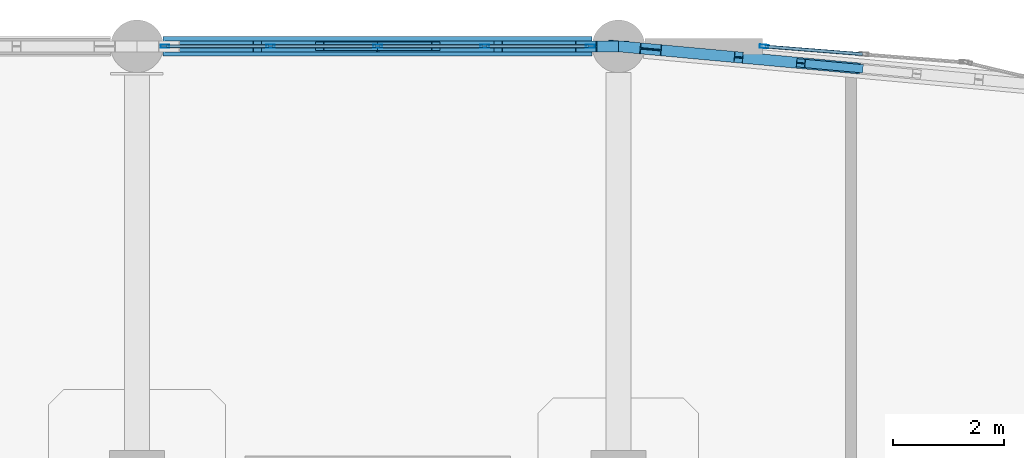
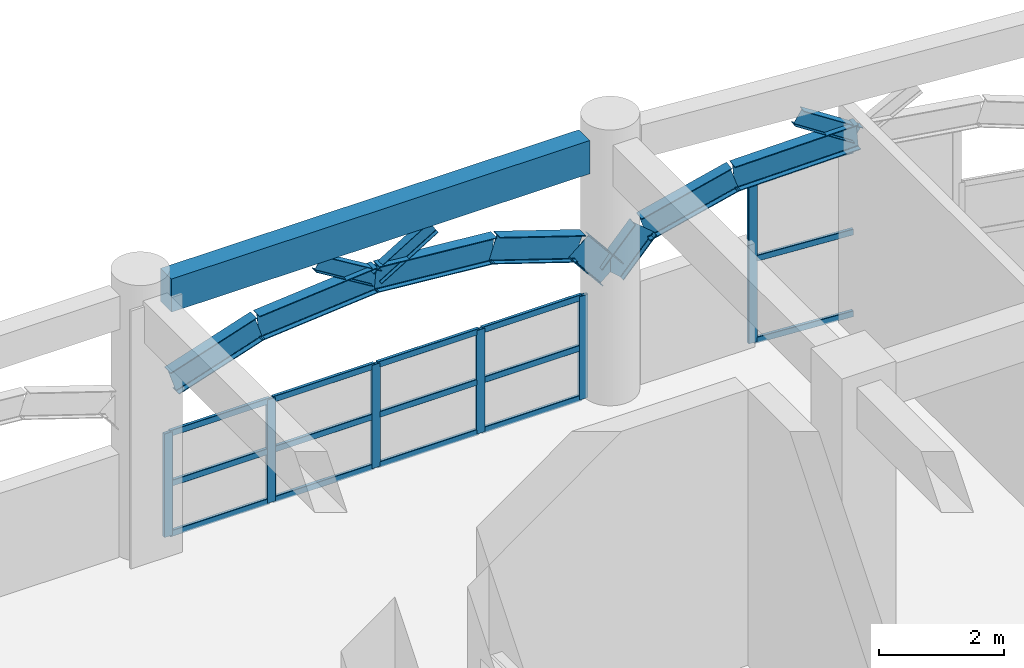
# One storey, part 49 of 114: 24 members, 9 beams, 2 elements without a shape of their own.
"""IFC4 building model written with IfcOpenShell, lengths in metres."""

from ifc_helpers import new_model, si_unit, derived_unit, direction, frame, origin, origin_2d, place, context, subcontext, project, spatial, rectangle, hollow_rectangle, i_section, extrude, material, layer, layer_set, material_profile, profile_set, type_object, element, aggregate, save


model = new_model("IFC4")

# Units and contexts
model_context = context("Model", 3, precision=1e-05, world=origin(), true_north=direction((0.0, 1.0)))
body_context = subcontext(model_context, "Body", "Model", "MODEL_VIEW")
ifc_project = project(units=[si_unit("LENGTHUNIT", "METRE"), si_unit("AREAUNIT", "SQUARE_METRE"), si_unit("VOLUMEUNIT", "CUBIC_METRE"), si_unit("PLANEANGLEUNIT", "RADIAN"), si_unit("MASSUNIT", "GRAM", prefix="KILO"), derived_unit("THERMALTRANSMITTANCEUNIT", [(si_unit("MASSUNIT", "GRAM", prefix="KILO"), 1), (si_unit("TIMEUNIT", "SECOND"), -3), (si_unit("THERMODYNAMICTEMPERATUREUNIT", "KELVIN"), -1)])], contexts=[model_context])

# Site, building, storey
site_placement = place(None, origin())
site = spatial("IfcSite", under=ifc_project, at=site_placement, CompositionType="ELEMENT")
building_placement = place(site_placement, origin())
building = spatial("IfcBuilding", under=site, at=building_placement, Name="Qinzheling Arcade Emporium", CompositionType="ELEMENT")
storey_placement = place(building_placement, frame((0.0, 0.0, 6.0)))
storey = spatial("IfcBuildingStorey", under=building, at=storey_placement, Name="L02", CompositionType="ELEMENT", Elevation=6.0)

# Beams
ifc_material_1 = material(Name="Weathering steel Q355NH", Category="steel")
ifc_material_profile_1 = material_profile(ifc_material_1, i_section(OverallWidth=0.199951171875, OverallDepth=0.5, WebThickness=0.010009765625, FlangeThickness=0.01611328125, FilletRadius=0.01806640625, at=origin_2d()), Name="HN 500x200x10x16", Category="steel")
ifc_profile_set_1 = profile_set([ifc_material_profile_1], Name="Weathering steel Q355NH")
beam_type_1 = type_object("IfcBeamType", Name="Arcade End Arch Rib HN500 Q355NH", PredefinedType="BEAM", material=ifc_profile_set_1)
beam_1_placement = place(storey_placement, frame((126.14111328125, 114.199951171875, 3.715087890625), z_axis=(-0.991980653313, 0.091356365126, -0.087340700725), x_axis=(-0.091706822835, -0.995786050638, 0.0)))
element("IfcBeam", 1, at=beam_1_placement, inside=storey, type_object=beam_type_1, Name="Curved Arcade Entrance Arch ARC-L02-CV6-B05-C04", PredefinedType="BEAM", context=body_context, shape_type="SweptSolid", body=[
    extrude(i_section(OverallWidth=0.199951171875, OverallDepth=0.5, WebThickness=0.010009765625, FlangeThickness=0.01611328125, FilletRadius=0.01806640625, at=origin_2d()), origin(), (0.0, 0.0, 1.0), 2.188720703125),
])
beam_2_placement = place(storey_placement, frame((123.969970703125, 114.39990234375, 3.52392578125), z_axis=(-0.946386435562, 0.087014004992, -0.311096894101), x_axis=(-0.091557240074, -0.995799815119, 0.0)))
element("IfcBeam", 2, at=beam_2_placement, inside=storey, type_object=beam_type_1, Name="Curved Arcade Entrance Arch ARC-L02-CV6-B05-C05", PredefinedType="BEAM", context=body_context, shape_type="SweptSolid", body=[
    extrude(i_section(OverallWidth=0.199951171875, OverallDepth=0.5, WebThickness=0.010009765625, FlangeThickness=0.01611328125, FilletRadius=0.01806640625, at=origin_2d()), origin(), (0.0, 0.0, 1.0), 1.677734375),
])
beam_3_placement = place(storey_placement, frame((122.382080078125, 114.5458984375, 3.001953125), z_axis=(-0.631852012535, 0.058838568281, -0.772852545534), x_axis=(-0.092719664552, -0.995692253563, 0.0)))
element("IfcBeam", 3, at=beam_3_placement, inside=storey, type_object=beam_type_1, Name="Curved Arcade Entrance Arch ARC-L02-CV6-B05-C06", PredefinedType="BEAM", context=body_context, shape_type="SweptSolid", body=[
    extrude(i_section(OverallWidth=0.199951171875, OverallDepth=0.5, WebThickness=0.010009765625, FlangeThickness=0.01611328125, FilletRadius=0.01806640625, at=origin_2d()), origin(), (0.0, 0.0, 1.0), 0.921142578125),
])
beam_4_placement = place(storey_placement, frame((113.68310546875, 114.60009765625, 3.001953125), z_axis=(0.950216808814, 0.0, 0.311589499577), x_axis=(0.0, 1.0, 0.0)))
element("IfcBeam", 4, at=beam_4_placement, inside=storey, type_object=beam_type_1, Name="Street Entrance Arch ARC-L02-N02-C02", PredefinedType="BEAM", context=body_context, shape_type="SweptSolid", body=[
    extrude(i_section(OverallWidth=0.199951171875, OverallDepth=0.5, WebThickness=0.010009765625, FlangeThickness=0.01611328125, FilletRadius=0.01806640625, at=origin_2d()), origin(), (0.0, 0.0, 1.0), 1.67529296875),
])
for number, where, z_axis, x_axis, name in (
    (5, (115.27490234375, 114.60009765625, 3.52392578125), (0.996160024341, 0.0, 0.087551161641), (0.0, 1.0, 0.0), "Street Entrance Arch ARC-L02-N02-C03"),
    (6, (117.449951171875, 114.60009765625, 3.715087890625), (0.996160024341, 0.0, -0.087551161641), (0.0, 1.0, 0.0), "Street Entrance Arch ARC-L02-N02-C04"),
):
    element("IfcBeam", number, at=place(storey_placement, frame(where, z_axis=z_axis, x_axis=x_axis)), inside=storey, type_object=beam_type_1, Name=name, PredefinedType="BEAM", context=body_context, shape_type="SweptSolid", body=[
        extrude(i_section(OverallWidth=0.199951171875, OverallDepth=0.5, WebThickness=0.010009765625, FlangeThickness=0.01611328125, FilletRadius=0.01806640625, at=origin_2d()), origin(), (0.0, 0.0, 1.0), 2.183349609375),
    ])
beam_5_placement = place(storey_placement, frame((119.625, 114.60009765625, 3.52392578125), z_axis=(0.950230955364, 0.0, -0.311546355247), x_axis=(0.0, 1.0, 0.0)))
element("IfcBeam", 7, at=beam_5_placement, inside=storey, type_object=beam_type_1, Name="Street Entrance Arch ARC-L02-N02-C05", PredefinedType="BEAM", context=body_context, shape_type="SweptSolid", body=[
    extrude(i_section(OverallWidth=0.199951171875, OverallDepth=0.5, WebThickness=0.010009765625, FlangeThickness=0.01611328125, FilletRadius=0.01806640625, at=origin_2d()), origin(), (0.0, 0.0, 1.0), 1.675537109375),
])
beam_6_placement = place(storey_placement, frame((121.217041015625, 114.60009765625, 3.001953125), z_axis=(0.63358448173, 0.0, -0.773673512866), x_axis=(0.0, 1.0, 0.0)))
element("IfcBeam", 8, at=beam_6_placement, inside=storey, type_object=beam_type_1, Name="Street Entrance Arch ARC-L02-N02-C06", PredefinedType="BEAM", context=body_context, shape_type="SweptSolid", body=[
    extrude(i_section(OverallWidth=0.199951171875, OverallDepth=0.5, WebThickness=0.010009765625, FlangeThickness=0.01611328125, FilletRadius=0.01806640625, at=origin_2d()), origin(), (0.0, 0.0, 1.0), 0.920166015625),
])

# Members
ifc_material_profile_2 = material_profile(ifc_material_1, i_section(OverallWidth=0.14990234375, OverallDepth=0.300048828125, WebThickness=0.006591796875, FlangeThickness=0.009033203125, FilletRadius=0.012939453125, at=origin_2d()), Name="HN 300x150x6.5x9", Category="steel")
ifc_profile_set_2 = profile_set([ifc_material_profile_2], Name="Weathering steel Q355NH")
member_type_1 = type_object("IfcMemberType", Name="Arcade Spandrel Web Chord HN300 Q355NH", PredefinedType="CHORD", material=ifc_profile_set_2)
member_1_placement = place(storey_placement, frame((126.14111328125, 114.199951171875, 3.72509765625), z_axis=(-0.850471075483, 0.078001197821, 0.520206461807), x_axis=(-0.09133196205, -0.995820502253, 0.0)))
element("IfcMember", 9, at=member_1_placement, inside=storey, type_object=member_type_1, Name="Arcade Spandrel Web Chord ASW-L02-CV6-B05-W2", PredefinedType="CHORD", context=body_context, shape_type="SweptSolid", body=[
    extrude(i_section(OverallWidth=0.14990234375, OverallDepth=0.300048828125, WebThickness=0.006591796875, FlangeThickness=0.009033203125, FilletRadius=0.012939453125, at=origin_2d()), origin(), (0.0, 0.0, 1.0), 1.22998046875),
])
for number, where, z_axis, x_axis, name in (
    (10, (117.449951171875, 114.60009765625, 3.72509765625), (-0.85393390348, 0.0, 0.520381483613), (0.0, -1.0, 0.0), "Street Spandrel Web Chord ASW-L02-N02-W1"),
    (11, (117.449951171875, 114.60009765625, 3.72509765625), (0.85393390348, 0.0, 0.520381483613), (0.0, 1.0, 0.0), "Street Spandrel Web Chord ASW-L02-N02-W2"),
):
    element("IfcMember", number, at=place(storey_placement, frame(where, z_axis=z_axis, x_axis=x_axis)), inside=storey, type_object=member_type_1, Name=name, PredefinedType="CHORD", context=body_context, shape_type="SweptSolid", body=[
        extrude(i_section(OverallWidth=0.14990234375, OverallDepth=0.300048828125, WebThickness=0.006591796875, FlangeThickness=0.009033203125, FilletRadius=0.012939453125, at=origin_2d()), origin(), (0.0, 0.0, 1.0), 1.229736328125),
    ])

# Curtain wall, members
ifc_material_2 = material(Name="Anodised aluminium and solar-control double glazing", Category="aluminium")
ifc_layer_1 = layer(ifc_material_2, 0.159912109375, Name="Anodised aluminium and solar-control double glazing", Category="aluminium")
ifc_layer_set_1 = layer_set([ifc_layer_1], Name="Anodised aluminium and solar-control double glazing")
curtain_wall_type_1 = type_object("IfcCurtainWallType", Name="Arcade Portal Glazed Curtain Wall", PredefinedType="NOTDEFINED", material=ifc_layer_set_1)
curtain_wall_1_placement = place(storey_placement, origin())
curtain_wall_1 = element("IfcCurtainWall", 12, at=curtain_wall_1_placement, inside=storey, type_object=curtain_wall_type_1, Name="Curtain Wall CW-L02-102", PredefinedType="NOTDEFINED")
ifc_material_3 = material(Name="Anodised aluminium 6063-T6", Category="aluminium")
ifc_material_profile_3 = material_profile(ifc_material_3, hollow_rectangle(XDim=0.06005859375, YDim=0.159912109375, WallThickness=0.00390625, InnerFilletRadius=0.00390625, OuterFilletRadius=0.008056640625, at=origin_2d()), Name="RHS 160x60x4", Category="aluminium")
ifc_profile_set_3 = profile_set([ifc_material_profile_3], Name="Anodised aluminium 6063-T6")
member_type_2 = type_object("IfcMemberType", Name="Curtain Wall Mullion RHS160x60", PredefinedType="MULLION", material=ifc_profile_set_3)
member_2_placement = place(storey_placement, frame((113.60693359375, 114.60009765625, 0.0), z_axis=(0.0, 0.0, 1.0), x_axis=(0.0, 1.0, 0.0)))
member_2 = element("IfcMember", 13, at=member_2_placement, type_object=member_type_2, Name="CW05 mullion 1", PredefinedType="MULLION", context=body_context, shape_type="SweptSolid", body=[
    extrude(hollow_rectangle(XDim=0.06005859375, YDim=0.159912109375, WallThickness=0.00390625, InnerFilletRadius=0.00390625, OuterFilletRadius=0.008056640625, at=origin_2d()), origin(), (0.0, 0.0, 1.0), 2.02490234375),
])
member_3_placement = place(storey_placement, frame((115.513427734375, 114.60009765625, 0.0), z_axis=(0.0, 0.0, 1.0), x_axis=(0.0, 1.0, 0.0)))
member_3 = element("IfcMember", 14, at=member_3_placement, type_object=member_type_2, Name="CW05 mullion 2", PredefinedType="MULLION", context=body_context, shape_type="SweptSolid", body=[
    extrude(hollow_rectangle(XDim=0.06005859375, YDim=0.159912109375, WallThickness=0.00390625, InnerFilletRadius=0.00390625, OuterFilletRadius=0.008056640625, at=origin_2d()), origin(), (0.0, 0.0, 1.0), 2.02490234375),
])
member_4_placement = place(storey_placement, frame((117.449951171875, 114.60009765625, 0.0), z_axis=(0.0, 0.0, 1.0), x_axis=(0.0, 1.0, 0.0)))
member_4 = element("IfcMember", 15, at=member_4_placement, type_object=member_type_2, Name="CW05 mullion 3", PredefinedType="MULLION", context=body_context, shape_type="SweptSolid", body=[
    extrude(hollow_rectangle(XDim=0.06005859375, YDim=0.159912109375, WallThickness=0.00390625, InnerFilletRadius=0.00390625, OuterFilletRadius=0.008056640625, at=origin_2d()), origin(), (0.0, 0.0, 1.0), 2.02490234375),
])
member_5_placement = place(storey_placement, frame((119.386474609375, 114.60009765625, 0.0), z_axis=(0.0, 0.0, 1.0), x_axis=(0.0, 1.0, 0.0)))
member_5 = element("IfcMember", 16, at=member_5_placement, type_object=member_type_2, Name="CW05 mullion 4", PredefinedType="MULLION", context=body_context, shape_type="SweptSolid", body=[
    extrude(hollow_rectangle(XDim=0.06005859375, YDim=0.159912109375, WallThickness=0.00390625, InnerFilletRadius=0.00390625, OuterFilletRadius=0.008056640625, at=origin_2d()), origin(), (0.0, 0.0, 1.0), 2.02490234375),
])
member_6_placement = place(storey_placement, frame((121.29296875, 114.60009765625, 0.0), z_axis=(0.0, 0.0, 1.0), x_axis=(0.0, 1.0, 0.0)))
member_6 = element("IfcMember", 17, at=member_6_placement, type_object=member_type_2, Name="CW05 mullion 5", PredefinedType="MULLION", context=body_context, shape_type="SweptSolid", body=[
    extrude(hollow_rectangle(XDim=0.06005859375, YDim=0.159912109375, WallThickness=0.00390625, InnerFilletRadius=0.00390625, OuterFilletRadius=0.008056640625, at=origin_2d()), origin(), (0.0, 0.0, 1.0), 2.02490234375),
])

# Curtain wall, member
ifc_layer_2 = layer(ifc_material_2, 0.159912109375, Name="Anodised aluminium and solar-control double glazing", Category="aluminium")
ifc_layer_set_2 = layer_set([ifc_layer_2], Name="Anodised aluminium and solar-control double glazing")
curtain_wall_type_2 = type_object("IfcCurtainWallType", Name="Curved Ribbon Sales Curtain Wall", PredefinedType="NOTDEFINED", material=ifc_layer_set_2)
curtain_wall_2_placement = place(storey_placement, origin())
curtain_wall_2 = element("IfcCurtainWall", 18, at=curtain_wall_2_placement, inside=storey, type_object=curtain_wall_type_2, Name="Curtain Wall CW-L02-103", PredefinedType="NOTDEFINED")
member_7_placement = place(storey_placement, frame((124.429931640625, 114.59765625, 0.0), z_axis=(0.0, 0.0, 1.0), x_axis=(0.078376222365, 0.996923852542, 0.0)))
member_7 = element("IfcMember", 19, at=member_7_placement, type_object=member_type_2, Name="CW02 mullion 1", PredefinedType="MULLION", context=body_context, shape_type="SweptSolid", body=[
    extrude(hollow_rectangle(XDim=0.06005859375, YDim=0.159912109375, WallThickness=0.00390625, InnerFilletRadius=0.00390625, OuterFilletRadius=0.008056640625, at=origin_2d()), origin(), (0.0, 0.0, 1.0), 3.259033203125),
])

# Member
ifc_material_profile_4 = material_profile(ifc_material_3, hollow_rectangle(XDim=0.06005859375, YDim=0.1201171875, WallThickness=0.00390625, InnerFilletRadius=0.00390625, OuterFilletRadius=0.008056640625, at=origin_2d()), Name="RHS 120x60x4", Category="aluminium")
ifc_profile_set_4 = profile_set([ifc_material_profile_4], Name="Anodised aluminium 6063-T6")
member_type_3 = type_object("IfcMemberType", Name="Curtain Wall Transom RHS120x60", PredefinedType="USERDEFINED", material=ifc_profile_set_4)
member_8_placement = place(storey_placement, frame((113.636962890625, 114.60009765625, 0.030029296875), z_axis=(1.0, 0.0, 0.0), x_axis=(0.0, 1.0, 0.0)))
member_8 = element("IfcMember", 20, at=member_8_placement, type_object=member_type_3, Name="CW05 transom 1.1", ObjectType="TRANSOM", PredefinedType="USERDEFINED", context=body_context, shape_type="SweptSolid", body=[
    extrude(hollow_rectangle(XDim=0.06005859375, YDim=0.1201171875, WallThickness=0.00390625, InnerFilletRadius=0.00390625, OuterFilletRadius=0.008056640625, at=origin_2d()), origin(), (0.0, 0.0, 1.0), 1.846435546875),
])

member_9_placement = place(storey_placement, frame((113.636962890625, 114.60009765625, 1.012939453125), z_axis=(1.0, 0.0, 0.0), x_axis=(0.0, 1.0, 0.0)))
member_9 = element("IfcMember", 21, at=member_9_placement, type_object=member_type_3, Name="CW05 transom 1.2", ObjectType="TRANSOM", PredefinedType="USERDEFINED", context=body_context, shape_type="SweptSolid", body=[
    extrude(hollow_rectangle(XDim=0.06005859375, YDim=0.1201171875, WallThickness=0.00390625, InnerFilletRadius=0.00390625, OuterFilletRadius=0.008056640625, at=origin_2d()), origin(), (0.0, 0.0, 1.0), 1.846435546875),
])

member_10_placement = place(storey_placement, frame((113.636962890625, 114.60009765625, 1.9951171875), z_axis=(1.0, 0.0, 0.0), x_axis=(0.0, 1.0, 0.0)))
member_10 = element("IfcMember", 22, at=member_10_placement, type_object=member_type_3, Name="CW05 transom 1.3", ObjectType="TRANSOM", PredefinedType="USERDEFINED", context=body_context, shape_type="SweptSolid", body=[
    extrude(hollow_rectangle(XDim=0.06005859375, YDim=0.1201171875, WallThickness=0.00390625, InnerFilletRadius=0.00390625, OuterFilletRadius=0.008056640625, at=origin_2d()), origin(), (0.0, 0.0, 1.0), 1.846435546875),
])

member_11_placement = place(storey_placement, frame((115.54345703125, 114.60009765625, 0.030029296875), z_axis=(1.0, 0.0, 0.0), x_axis=(0.0, 1.0, 0.0)))
member_11 = element("IfcMember", 23, at=member_11_placement, type_object=member_type_3, Name="CW05 transom 2.1", ObjectType="TRANSOM", PredefinedType="USERDEFINED", context=body_context, shape_type="SweptSolid", body=[
    extrude(hollow_rectangle(XDim=0.06005859375, YDim=0.1201171875, WallThickness=0.00390625, InnerFilletRadius=0.00390625, OuterFilletRadius=0.008056640625, at=origin_2d()), origin(), (0.0, 0.0, 1.0), 1.87646484375),
])

member_12_placement = place(storey_placement, frame((115.54345703125, 114.60009765625, 1.012939453125), z_axis=(1.0, 0.0, 0.0), x_axis=(0.0, 1.0, 0.0)))
member_12 = element("IfcMember", 24, at=member_12_placement, type_object=member_type_3, Name="CW05 transom 2.2", ObjectType="TRANSOM", PredefinedType="USERDEFINED", context=body_context, shape_type="SweptSolid", body=[
    extrude(hollow_rectangle(XDim=0.06005859375, YDim=0.1201171875, WallThickness=0.00390625, InnerFilletRadius=0.00390625, OuterFilletRadius=0.008056640625, at=origin_2d()), origin(), (0.0, 0.0, 1.0), 1.87646484375),
])

member_13_placement = place(storey_placement, frame((115.54345703125, 114.60009765625, 1.9951171875), z_axis=(1.0, 0.0, 0.0), x_axis=(0.0, 1.0, 0.0)))
member_13 = element("IfcMember", 25, at=member_13_placement, type_object=member_type_3, Name="CW05 transom 2.3", ObjectType="TRANSOM", PredefinedType="USERDEFINED", context=body_context, shape_type="SweptSolid", body=[
    extrude(hollow_rectangle(XDim=0.06005859375, YDim=0.1201171875, WallThickness=0.00390625, InnerFilletRadius=0.00390625, OuterFilletRadius=0.008056640625, at=origin_2d()), origin(), (0.0, 0.0, 1.0), 1.87646484375),
])

member_14_placement = place(storey_placement, frame((117.47998046875, 114.60009765625, 0.030029296875), z_axis=(1.0, 0.0, 0.0), x_axis=(0.0, 1.0, 0.0)))
member_14 = element("IfcMember", 26, at=member_14_placement, type_object=member_type_3, Name="CW05 transom 3.1", ObjectType="TRANSOM", PredefinedType="USERDEFINED", context=body_context, shape_type="SweptSolid", body=[
    extrude(hollow_rectangle(XDim=0.06005859375, YDim=0.1201171875, WallThickness=0.00390625, InnerFilletRadius=0.00390625, OuterFilletRadius=0.008056640625, at=origin_2d()), origin(), (0.0, 0.0, 1.0), 1.87646484375),
])

member_15_placement = place(storey_placement, frame((117.47998046875, 114.60009765625, 1.012939453125), z_axis=(1.0, 0.0, 0.0), x_axis=(0.0, 1.0, 0.0)))
member_15 = element("IfcMember", 27, at=member_15_placement, type_object=member_type_3, Name="CW05 transom 3.2", ObjectType="TRANSOM", PredefinedType="USERDEFINED", context=body_context, shape_type="SweptSolid", body=[
    extrude(hollow_rectangle(XDim=0.06005859375, YDim=0.1201171875, WallThickness=0.00390625, InnerFilletRadius=0.00390625, OuterFilletRadius=0.008056640625, at=origin_2d()), origin(), (0.0, 0.0, 1.0), 1.87646484375),
])

member_16_placement = place(storey_placement, frame((117.47998046875, 114.60009765625, 1.9951171875), z_axis=(1.0, 0.0, 0.0), x_axis=(0.0, 1.0, 0.0)))
member_16 = element("IfcMember", 28, at=member_16_placement, type_object=member_type_3, Name="CW05 transom 3.3", ObjectType="TRANSOM", PredefinedType="USERDEFINED", context=body_context, shape_type="SweptSolid", body=[
    extrude(hollow_rectangle(XDim=0.06005859375, YDim=0.1201171875, WallThickness=0.00390625, InnerFilletRadius=0.00390625, OuterFilletRadius=0.008056640625, at=origin_2d()), origin(), (0.0, 0.0, 1.0), 1.87646484375),
])

member_17_placement = place(storey_placement, frame((119.41650390625, 114.60009765625, 0.030029296875), z_axis=(1.0, 0.0, 0.0), x_axis=(0.0, 1.0, 0.0)))
member_17 = element("IfcMember", 29, at=member_17_placement, type_object=member_type_3, Name="CW05 transom 4.1", ObjectType="TRANSOM", PredefinedType="USERDEFINED", context=body_context, shape_type="SweptSolid", body=[
    extrude(hollow_rectangle(XDim=0.06005859375, YDim=0.1201171875, WallThickness=0.00390625, InnerFilletRadius=0.00390625, OuterFilletRadius=0.008056640625, at=origin_2d()), origin(), (0.0, 0.0, 1.0), 1.846435546875),
])

member_18_placement = place(storey_placement, frame((119.41650390625, 114.60009765625, 1.012939453125), z_axis=(1.0, 0.0, 0.0), x_axis=(0.0, 1.0, 0.0)))
member_18 = element("IfcMember", 30, at=member_18_placement, type_object=member_type_3, Name="CW05 transom 4.2", ObjectType="TRANSOM", PredefinedType="USERDEFINED", context=body_context, shape_type="SweptSolid", body=[
    extrude(hollow_rectangle(XDim=0.06005859375, YDim=0.1201171875, WallThickness=0.00390625, InnerFilletRadius=0.00390625, OuterFilletRadius=0.008056640625, at=origin_2d()), origin(), (0.0, 0.0, 1.0), 1.846435546875),
])

member_19_placement = place(storey_placement, frame((119.41650390625, 114.60009765625, 1.9951171875), z_axis=(1.0, 0.0, 0.0), x_axis=(0.0, 1.0, 0.0)))
member_19 = element("IfcMember", 31, at=member_19_placement, type_object=member_type_3, Name="CW05 transom 4.3", ObjectType="TRANSOM", PredefinedType="USERDEFINED", context=body_context, shape_type="SweptSolid", body=[
    extrude(hollow_rectangle(XDim=0.06005859375, YDim=0.1201171875, WallThickness=0.00390625, InnerFilletRadius=0.00390625, OuterFilletRadius=0.008056640625, at=origin_2d()), origin(), (0.0, 0.0, 1.0), 1.846435546875),
])

aggregate(curtain_wall_1, [member_2, member_3, member_4, member_5, member_6, member_8, member_9, member_10, member_11, member_12, member_13, member_14, member_15, member_16, member_17, member_18, member_19])

member_20_placement = place(storey_placement, frame((124.459716796875, 114.59521484375, 0.030029296875), z_axis=(0.996923677954, -0.078378443051, 0.0), x_axis=(0.078378443051, 0.996923677954, 0.0)))
member_20 = element("IfcMember", 32, at=member_20_placement, type_object=member_type_3, Name="CW02 transom 1.1", ObjectType="TRANSOM", PredefinedType="USERDEFINED", context=body_context, shape_type="SweptSolid", body=[
    extrude(hollow_rectangle(XDim=0.06005859375, YDim=0.1201171875, WallThickness=0.00390625, InnerFilletRadius=0.00390625, OuterFilletRadius=0.008056640625, at=origin_2d()), origin(), (0.0, 0.0, 1.0), 1.753662109375),
])

member_21_placement = place(storey_placement, frame((124.459716796875, 114.59521484375, 1.6298828125), z_axis=(0.996923677954, -0.078378443051, 0.0), x_axis=(0.078378443051, 0.996923677954, 0.0)))
member_21 = element("IfcMember", 33, at=member_21_placement, type_object=member_type_3, Name="CW02 transom 1.2", ObjectType="TRANSOM", PredefinedType="USERDEFINED", context=body_context, shape_type="SweptSolid", body=[
    extrude(hollow_rectangle(XDim=0.06005859375, YDim=0.1201171875, WallThickness=0.00390625, InnerFilletRadius=0.00390625, OuterFilletRadius=0.008056640625, at=origin_2d()), origin(), (0.0, 0.0, 1.0), 1.753662109375),
])

member_22_placement = place(storey_placement, frame((124.459716796875, 114.59521484375, 3.22900390625), z_axis=(0.996923677954, -0.078378443051, 0.0), x_axis=(0.078378443051, 0.996923677954, 0.0)))
member_22 = element("IfcMember", 34, at=member_22_placement, type_object=member_type_3, Name="CW02 transom 1.3", ObjectType="TRANSOM", PredefinedType="USERDEFINED", context=body_context, shape_type="SweptSolid", body=[
    extrude(hollow_rectangle(XDim=0.06005859375, YDim=0.1201171875, WallThickness=0.00390625, InnerFilletRadius=0.00390625, OuterFilletRadius=0.008056640625, at=origin_2d()), origin(), (0.0, 0.0, 1.0), 1.753662109375),
])

aggregate(curtain_wall_2, [member_7, member_20, member_21, member_22])

# Beam
ifc_material_4 = material(Name="Concrete C40", Category="concrete")
ifc_material_profile_5 = material_profile(ifc_material_4, rectangle(XDim=0.35009765625, YDim=0.64990234375, at=origin_2d()), Name="RC 350x650", Category="concrete")
ifc_profile_set_5 = profile_set([ifc_material_profile_5], Name="Concrete C40")
beam_type_2 = type_object("IfcBeamType", Name="RC Spandrel Edge Beam 350x650 C40", PredefinedType="SPANDREL", material=ifc_profile_set_5)
beam_7_placement = place(storey_placement, frame((113.574951171875, 114.60009765625, 4.81005859375), z_axis=(1.0, 0.0, 0.0), x_axis=(0.0, 1.0, 0.0)))
element("IfcBeam", 35, at=beam_7_placement, inside=storey, type_object=beam_type_2, Name="Beam BM-L02-X-P-14", PredefinedType="SPANDREL", context=body_context, shape_type="SweptSolid", body=[
    extrude(rectangle(XDim=0.35009765625, YDim=0.64990234375, at=origin_2d()), origin(), (0.0, 0.0, 1.0), 7.75),
])

save(model, "model.ifc")
